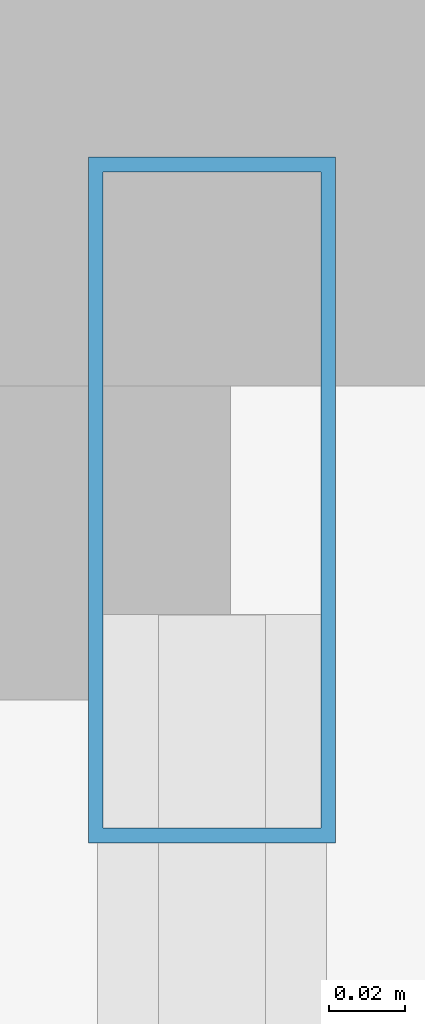
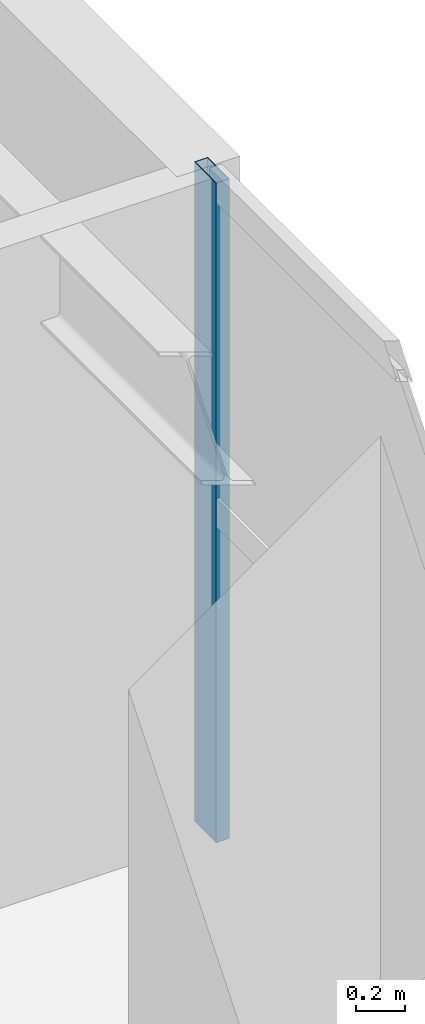
# One storey, part 7 of 17: 1 member, 1 element without a shape of its own.
"""IFC4 building model written with IfcOpenShell, lengths in metres."""

import ifcopenshell
import ifcopenshell.guid

model = None  # the IFC model being written
_history = None  # IfcOwnerHistory: only IFC2X3 demands one
_inside = {}  # id of a spatial element -> (the spatial element, [elements in it])
_under = {}  # id of a project, library or spatial element -> (it, [spatial elements below it])
_declared = {}  # id of a project -> (the project, [libraries it declares])
_typed = {}  # id of a type object -> (the type object, [elements of that type])
_made_of = {}  # id of a material, layer set ... -> (it, [elements and type objects made of it])


def new_model(schema):
    """Start an empty IFC model of exactly this schema.

    Asked for "IFC4X3", IfcOpenShell would pick the latest addendum, in which some entities
    have other attributes; the version numbers below select the first issue.
    IFC2X3 requires an IfcOwnerHistory on every rooted entity: one is made here for all.
    """
    global model, _history
    if schema == "IFC4X3":
        model = ifcopenshell.file(schema_version=(4, 3, 0, 0))
    else:
        model = ifcopenshell.file(schema=schema)
    _inside.clear()
    _under.clear()
    _declared.clear()
    _typed.clear()
    _made_of.clear()
    _history = None
    if model.schema == "IFC2X3":
        org = make("IfcOrganization", Name="unknown")
        user = make(
            "IfcPersonAndOrganization",
            ThePerson=make("IfcPerson", FamilyName="unknown"),
            TheOrganization=org,
        )
        app = make(
            "IfcApplication",
            ApplicationDeveloper=org,
            Version="unknown",
            ApplicationFullName="unknown",
            ApplicationIdentifier="unknown",
        )
        _history = make(
            "IfcOwnerHistory",
            OwningUser=user,
            OwningApplication=app,
            ChangeAction="ADDED",
            CreationDate=0,
        )
    return model


def make(cls, **values):
    """One entity of the class cls with the attributes given. An attribute that is None is left unset."""
    return model.create_entity(
        cls, **{name: value for name, value in values.items() if value is not None}
    )


def rooted(cls, **values):
    """An entity with a GlobalId (a new one), such as an element, a storey or a relation."""
    return make(cls, GlobalId=ifcopenshell.guid.new(), OwnerHistory=_history, **values)


def si_unit(unit_type, name, prefix=None):
    """IfcSIUnit, for example si_unit("LENGTHUNIT", "METRE", prefix="MILLI")."""
    return make("IfcSIUnit", UnitType=unit_type, Prefix=prefix, Name=name)


def assignment(units):
    """IfcUnitAssignment: the units of a project."""
    return None if units is None else make("IfcUnitAssignment", Units=units)


def point(xyz):
    """IfcCartesianPoint."""
    return None if xyz is None else make("IfcCartesianPoint", Coordinates=xyz)


def direction(xyz):
    """IfcDirection."""
    return None if xyz is None else make("IfcDirection", DirectionRatios=xyz)


def frame(location, z_axis=None, x_axis=None):
    """IfcAxis2Placement3D, a coordinate frame: its origin and axes. An axis left out is left unset."""
    return make(
        "IfcAxis2Placement3D",
        Location=point(location),
        Axis=direction(z_axis),
        RefDirection=direction(x_axis),
    )


def frame_2d(location, x_axis=None):
    """IfcAxis2Placement2D, a coordinate frame in the plane: its origin and x axis."""
    return make(
        "IfcAxis2Placement2D", Location=point(location), RefDirection=direction(x_axis)
    )


def origin():
    """The frame at (0, 0, 0) with its axes left unset."""
    return frame((0.0, 0.0, 0.0))


def origin_2d():
    """The frame at (0, 0) in the plane with its x axis left unset."""
    return frame_2d((0.0, 0.0))


def place(relative_to, where):
    """IfcLocalPlacement: puts the frame where relative to a parent placement (None: the world)."""
    return make(
        "IfcLocalPlacement", PlacementRelTo=relative_to, RelativePlacement=where
    )


def context(
    kind, dimensions, precision=None, world=None, true_north=None, identifier=None
):
    """IfcGeometricRepresentationContext, for example the 3D "Model" context."""
    return make(
        "IfcGeometricRepresentationContext",
        ContextIdentifier=identifier,
        ContextType=kind,
        CoordinateSpaceDimension=dimensions,
        Precision=precision,
        WorldCoordinateSystem=world,
        TrueNorth=true_north,
    )


def subcontext(parent, identifier, kind, view, scale=None):
    """IfcGeometricRepresentationSubContext, for example "Body" below "Model"."""
    return make(
        "IfcGeometricRepresentationSubContext",
        ContextIdentifier=identifier,
        ContextType=kind,
        ParentContext=parent,
        TargetScale=scale,
        TargetView=view,
    )


def project(units=None, contexts=None):
    """IfcProject with its units and contexts."""
    return rooted(
        "IfcProject",
        Name="project",
        RepresentationContexts=contexts,
        UnitsInContext=assignment(units),
    )


def spatial(cls, under=None, at=None, **own):
    """A site, building, storey or space (cls), placed at a placement, below another one or the project."""
    s = rooted(cls, ObjectPlacement=at, **own)
    if under is not None:
        _under.setdefault(under.id(), (under, []))[1].append(s)
    return s


def profile(cls, at=None, kind="AREA", **sizes):
    """A parametric profile (cls). Its sizes go by their IFC names, for example OverallWidth=200.0."""
    return make(cls, ProfileType=kind, Position=at, **sizes)


def hollow_rectangle(**sizes):
    """IfcRectangleHollowProfileDef."""
    return profile("IfcRectangleHollowProfileDef", **sizes)


def extrude(swept, where, along, depth):
    """IfcExtrudedAreaSolid: the profile swept, set in the frame where, extruded along a direction by depth."""
    return make(
        "IfcExtrudedAreaSolid",
        SweptArea=swept,
        Position=where,
        ExtrudedDirection=direction(along),
        Depth=depth,
    )


def shape(context_of_items, identifier, shape_type, items):
    """IfcShapeRepresentation: the items that make up one representation, for example the "Body"."""
    return make(
        "IfcShapeRepresentation",
        ContextOfItems=context_of_items,
        RepresentationIdentifier=identifier,
        RepresentationType=shape_type,
        Items=items,
    )


def source(mapping_origin, context_of_items, identifier, shape_type, items):
    """IfcRepresentationMap: a shape defined once, which mapped items show again and again."""
    return make(
        "IfcRepresentationMap",
        MappingOrigin=mapping_origin,
        MappedRepresentation=shape(context_of_items, identifier, shape_type, items),
    )


def transform(
    local_origin,
    x_axis=None,
    y_axis=None,
    z_axis=None,
    scale=None,
    scale2=None,
    scale3=None,
    uniform=True,
):
    """IfcCartesianTransformationOperator3D, or its non-uniform kind. x_axis, y_axis, z_axis: its Axis1, 2, 3."""
    if uniform:
        return make(
            "IfcCartesianTransformationOperator3D",
            Axis1=direction(x_axis),
            Axis2=direction(y_axis),
            LocalOrigin=point(local_origin),
            Scale=scale,
            Axis3=direction(z_axis),
        )
    return make(
        "IfcCartesianTransformationOperator3DnonUniform",
        Axis1=direction(x_axis),
        Axis2=direction(y_axis),
        LocalOrigin=point(local_origin),
        Scale=scale,
        Axis3=direction(z_axis),
        Scale2=scale2,
        Scale3=scale3,
    )


def mapped(mapping_source, mapping_target):
    """IfcMappedItem: shows the shape of a source again, moved by a transform."""
    return make(
        "IfcMappedItem", MappingSource=mapping_source, MappingTarget=mapping_target
    )


def material(Name=None, Category=None):
    """IfcMaterial."""
    return make("IfcMaterial", Name=Name, Category=Category)


def layer(
    of_material, thickness, ventilated=None, Name=None, Category=None, Priority=None
):
    """IfcMaterialLayer: one layer of a wall or slab, of a material (None: an air gap)."""
    return make(
        "IfcMaterialLayer",
        Material=of_material,
        LayerThickness=thickness,
        IsVentilated=ventilated,
        Name=Name,
        Category=Category,
        Priority=Priority,
    )


def layer_set(layers, Name=None):
    """IfcMaterialLayerSet."""
    return make("IfcMaterialLayerSet", MaterialLayers=layers, LayerSetName=Name)


def material_profile(
    of_material, cross_section, Name=None, Category=None, Priority=None
):
    """IfcMaterialProfile: a cross section and its material."""
    return make(
        "IfcMaterialProfile",
        Name=Name,
        Material=of_material,
        Profile=cross_section,
        Priority=Priority,
        Category=Category,
    )


def profile_set(profiles, Name=None, composite=None):
    """IfcMaterialProfileSet."""
    return make(
        "IfcMaterialProfileSet",
        Name=Name,
        MaterialProfiles=profiles,
        CompositeProfile=composite,
    )


def made_of(thing, what):
    """Note that an element or type object is made of a material, layer set ...; save() writes the relation."""
    if what is not None:
        _made_of.setdefault(what.id(), (what, []))[1].append(thing)
    return thing


def type_object(cls, material=None, **own):
    """A type object (cls), such as IfcWallType, which elements share."""
    return made_of(rooted(cls, **own), material)


def element(
    cls,
    number,
    at=None,
    inside=None,
    cuts=None,
    type_object=None,
    material=None,
    context=None,
    identifier="Body",
    shape_type=None,
    held_by="IfcProductDefinitionShape",
    body=None,
    shapes=None,
    **own,
):
    """One element of the class cls, such as IfcWall. Its Tag is "e" and its number.

    at: its placement. inside: the storey or other place that contains it. cuts: it is an
    opening in that element (IfcRelVoidsElement). A single representation is given by context,
    identifier, shape_type and body (its items); several are given by shapes. held_by: the class
    of the entity that holds the representations. save() writes the other relations.
    """
    e = rooted(cls, Tag="e%d" % number, ObjectPlacement=at, **own)
    if body is not None:
        shapes = [shape(context, identifier, shape_type, body)]
    if shapes is not None:
        e.Representation = make(held_by, Representations=shapes)
    if inside is not None:
        _inside.setdefault(inside.id(), (inside, []))[1].append(e)
    if cuts is not None:
        rooted(
            "IfcRelVoidsElement", RelatingBuildingElement=cuts, RelatedOpeningElement=e
        )
    if type_object is not None:
        _typed.setdefault(type_object.id(), (type_object, []))[1].append(e)
    return made_of(e, material)


def aggregate(whole, parts):
    """IfcRelAggregates: a whole, such as a stair, and the parts it consists of."""
    return rooted("IfcRelAggregates", RelatingObject=whole, RelatedObjects=parts)


def save(model, path):
    """Write the relations noted so far, then the file.

    IfcRelAggregates (storeys below a building ...), IfcRelContainedInSpatialStructure (elements
    in a storey), IfcRelDefinesByType, IfcRelAssociatesMaterial and IfcRelDeclares: one each for
    every whole, place, type object, material and project.
    """
    for whole, parts in _under.values():
        aggregate(whole, parts)
    for where, things in _inside.values():
        rooted(
            "IfcRelContainedInSpatialStructure",
            RelatedElements=things,
            RelatingStructure=where,
        )
    for kind, things in _typed.values():
        rooted("IfcRelDefinesByType", RelatedObjects=things, RelatingType=kind)
    for what, things in _made_of.values():
        rooted("IfcRelAssociatesMaterial", RelatedObjects=things, RelatingMaterial=what)
    for by, libraries in _declared.values():
        rooted("IfcRelDeclares", RelatingContext=by, RelatedDefinitions=libraries)
    model.write(path)


model = new_model("IFC4")

# Units and contexts
model_context = context("Model", 3, precision=1e-05, world=origin(), true_north=direction((0.0, 1.0)))
body_context = subcontext(model_context, "Body", "Model", "MODEL_VIEW")
ifc_project = project(units=[si_unit("LENGTHUNIT", "METRE"), si_unit("AREAUNIT", "SQUARE_METRE"), si_unit("VOLUMEUNIT", "CUBIC_METRE"), si_unit("PLANEANGLEUNIT", "RADIAN"), si_unit("MASSUNIT", "GRAM", prefix="KILO")], contexts=[model_context])

# Site, building, storey
site_placement = place(None, origin())
site = spatial("IfcSite", under=ifc_project, at=site_placement, CompositionType="ELEMENT")
building_placement = place(site_placement, origin())
building = spatial("IfcBuilding", under=site, at=building_placement, Name="Khoralis Quay Care Tower", CompositionType="ELEMENT")
storey_placement = place(building_placement, frame((0.0, 0.0, 58.5)))
storey = spatial("IfcBuildingStorey", under=building, at=storey_placement, Name="L15", CompositionType="ELEMENT", Elevation=58.5)

# Curtain wall, member
ifc_material = material(Name="Pale anodised aluminium", Category="aluminium")
ifc_layer = layer(ifc_material, 0.179931640625)
ifc_layer_set = layer_set([ifc_layer], Name="Pale anodised aluminium")
curtain_wall_type = type_object("IfcCurtainWallType", Name="CW-SYS-Z1", PredefinedType="NOTDEFINED", material=ifc_layer_set)
curtain_wall_placement = place(storey_placement, origin())
curtain_wall = element("IfcCurtainWall", 1, at=curtain_wall_placement, inside=storey, type_object=curtain_wall_type, Name="L15 Unitised Curtain Wall CW-L15-P1-E5", PredefinedType="NOTDEFINED")
ifc_material_profile = material_profile(ifc_material, hollow_rectangle(XDim=0.06494140625, YDim=0.179931640625, WallThickness=0.00390625, at=origin_2d()), Name="Pale anodised aluminium")
ifc_profile_set = profile_set([ifc_material_profile], Name="Pale anodised aluminium")
member_type = type_object("IfcMemberType", Name="CW-MUL-180", PredefinedType="MULLION", material=ifc_profile_set)
shared_shape = source(origin(), body_context, "Body", "SweptSolid", [
    extrude(hollow_rectangle(XDim=0.06494140625, YDim=0.179931640625, WallThickness=0.00390625, at=origin_2d()), origin(), (0.0, 0.0, 1.0), 3.320068359375),
])
member_placement = place(storey_placement, frame((47.85009765625, 32.25, 0.0), z_axis=(0.0, 0.0, 1.0), x_axis=(-1.0, 0.0, 0.0)))
member = element("IfcMember", 2, at=member_placement, type_object=member_type, Name="CW1 mullion 5", PredefinedType="MULLION", context=body_context, shape_type="MappedRepresentation", body=[
    mapped(shared_shape, transform((0.0, 0.0, 0.0), scale=1.0)),
])
aggregate(curtain_wall, [member])

save(model, "model.ifc")
